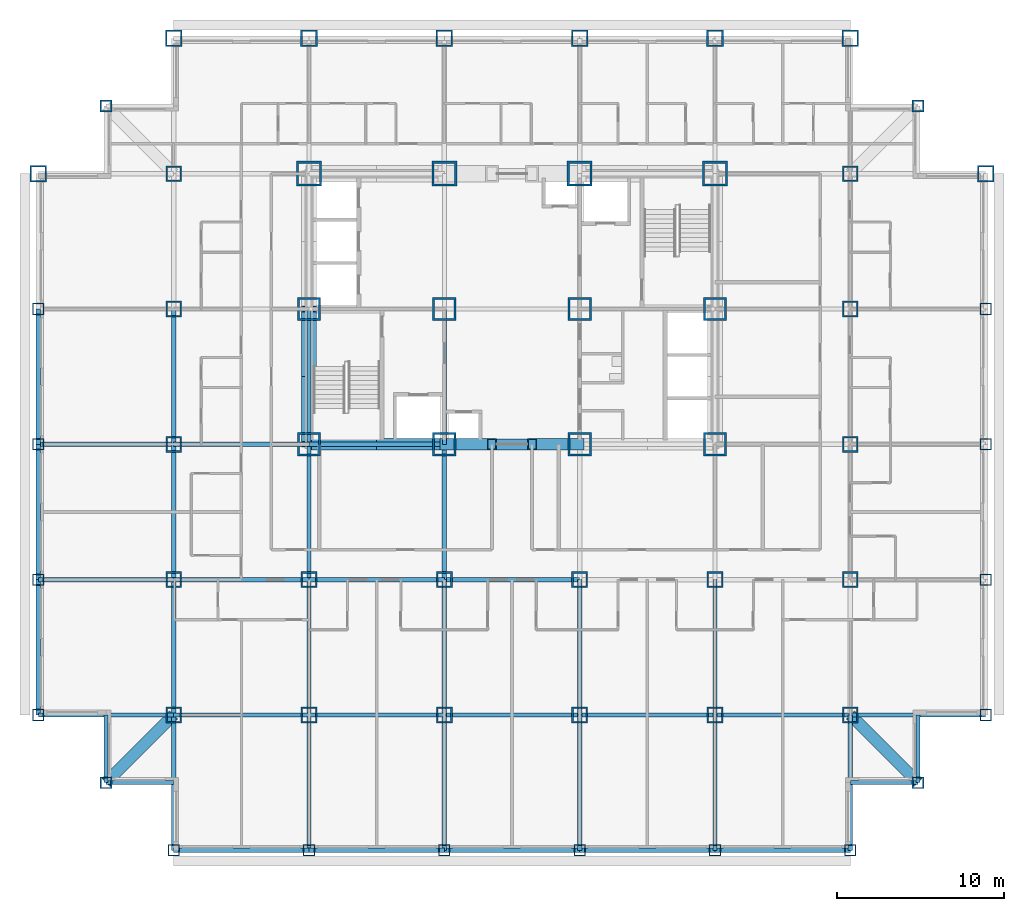
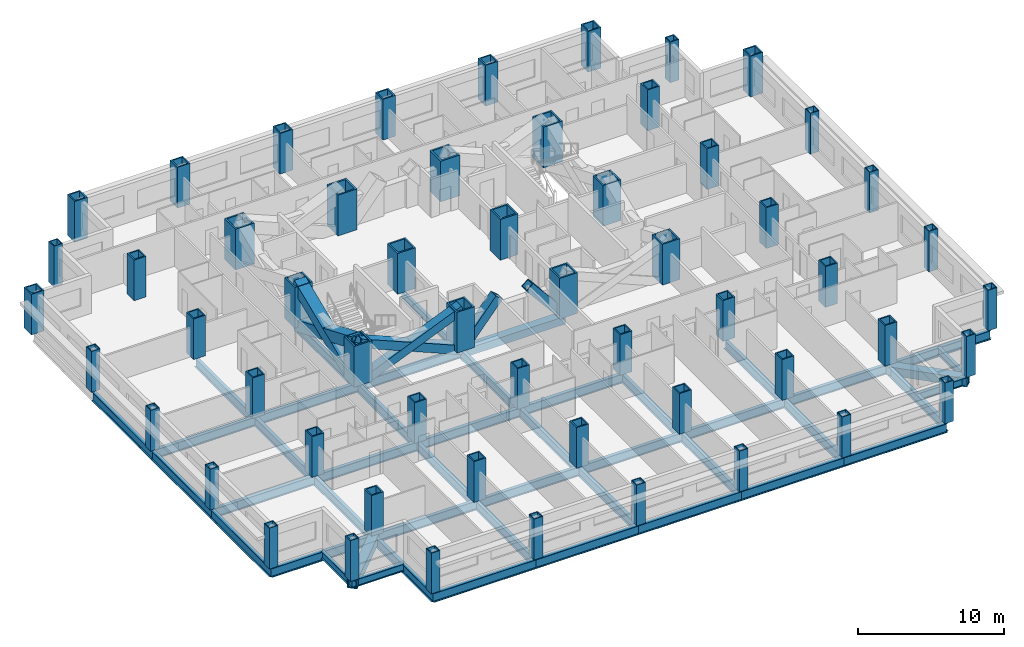
# One storey, part 1 of 12: 56 columns, 46 beams, 6 members.
"""IFC4 building model written with IfcOpenShell, lengths in metres."""

import ifcopenshell
import ifcopenshell.guid

model = None  # the IFC model being written
_history = None  # IfcOwnerHistory: only IFC2X3 demands one
_inside = {}  # id of a spatial element -> (the spatial element, [elements in it])
_under = {}  # id of a project, library or spatial element -> (it, [spatial elements below it])
_declared = {}  # id of a project -> (the project, [libraries it declares])
_typed = {}  # id of a type object -> (the type object, [elements of that type])
_made_of = {}  # id of a material, layer set ... -> (it, [elements and type objects made of it])


def new_model(schema):
    """Start an empty IFC model of exactly this schema.

    Asked for "IFC4X3", IfcOpenShell would pick the latest addendum, in which some entities
    have other attributes; the version numbers below select the first issue.
    IFC2X3 requires an IfcOwnerHistory on every rooted entity: one is made here for all.
    """
    global model, _history
    if schema == "IFC4X3":
        model = ifcopenshell.file(schema_version=(4, 3, 0, 0))
    else:
        model = ifcopenshell.file(schema=schema)
    _inside.clear()
    _under.clear()
    _declared.clear()
    _typed.clear()
    _made_of.clear()
    _history = None
    if model.schema == "IFC2X3":
        org = make("IfcOrganization", Name="unknown")
        user = make(
            "IfcPersonAndOrganization",
            ThePerson=make("IfcPerson", FamilyName="unknown"),
            TheOrganization=org,
        )
        app = make(
            "IfcApplication",
            ApplicationDeveloper=org,
            Version="unknown",
            ApplicationFullName="unknown",
            ApplicationIdentifier="unknown",
        )
        _history = make(
            "IfcOwnerHistory",
            OwningUser=user,
            OwningApplication=app,
            ChangeAction="ADDED",
            CreationDate=0,
        )
    return model


def make(cls, **values):
    """One entity of the class cls with the attributes given. An attribute that is None is left unset."""
    return model.create_entity(
        cls, **{name: value for name, value in values.items() if value is not None}
    )


def rooted(cls, **values):
    """An entity with a GlobalId (a new one), such as an element, a storey or a relation."""
    return make(cls, GlobalId=ifcopenshell.guid.new(), OwnerHistory=_history, **values)


def si_unit(unit_type, name, prefix=None):
    """IfcSIUnit, for example si_unit("LENGTHUNIT", "METRE", prefix="MILLI")."""
    return make("IfcSIUnit", UnitType=unit_type, Prefix=prefix, Name=name)


def assignment(units):
    """IfcUnitAssignment: the units of a project."""
    return None if units is None else make("IfcUnitAssignment", Units=units)


def point(xyz):
    """IfcCartesianPoint."""
    return None if xyz is None else make("IfcCartesianPoint", Coordinates=xyz)


def direction(xyz):
    """IfcDirection."""
    return None if xyz is None else make("IfcDirection", DirectionRatios=xyz)


def frame(location, z_axis=None, x_axis=None):
    """IfcAxis2Placement3D, a coordinate frame: its origin and axes. An axis left out is left unset."""
    return make(
        "IfcAxis2Placement3D",
        Location=point(location),
        Axis=direction(z_axis),
        RefDirection=direction(x_axis),
    )


def frame_2d(location, x_axis=None):
    """IfcAxis2Placement2D, a coordinate frame in the plane: its origin and x axis."""
    return make(
        "IfcAxis2Placement2D", Location=point(location), RefDirection=direction(x_axis)
    )


def origin():
    """The frame at (0, 0, 0) with its axes left unset."""
    return frame((0.0, 0.0, 0.0))


def origin_2d():
    """The frame at (0, 0) in the plane with its x axis left unset."""
    return frame_2d((0.0, 0.0))


def place(relative_to, where):
    """IfcLocalPlacement: puts the frame where relative to a parent placement (None: the world)."""
    return make(
        "IfcLocalPlacement", PlacementRelTo=relative_to, RelativePlacement=where
    )


def context(
    kind, dimensions, precision=None, world=None, true_north=None, identifier=None
):
    """IfcGeometricRepresentationContext, for example the 3D "Model" context."""
    return make(
        "IfcGeometricRepresentationContext",
        ContextIdentifier=identifier,
        ContextType=kind,
        CoordinateSpaceDimension=dimensions,
        Precision=precision,
        WorldCoordinateSystem=world,
        TrueNorth=true_north,
    )


def subcontext(parent, identifier, kind, view, scale=None):
    """IfcGeometricRepresentationSubContext, for example "Body" below "Model"."""
    return make(
        "IfcGeometricRepresentationSubContext",
        ContextIdentifier=identifier,
        ContextType=kind,
        ParentContext=parent,
        TargetScale=scale,
        TargetView=view,
    )


def project(units=None, contexts=None):
    """IfcProject with its units and contexts."""
    return rooted(
        "IfcProject",
        Name="project",
        RepresentationContexts=contexts,
        UnitsInContext=assignment(units),
    )


def spatial(cls, under=None, at=None, **own):
    """A site, building, storey or space (cls), placed at a placement, below another one or the project."""
    s = rooted(cls, ObjectPlacement=at, **own)
    if under is not None:
        _under.setdefault(under.id(), (under, []))[1].append(s)
    return s


def profile(cls, at=None, kind="AREA", **sizes):
    """A parametric profile (cls). Its sizes go by their IFC names, for example OverallWidth=200.0."""
    return make(cls, ProfileType=kind, Position=at, **sizes)


def hollow_rectangle(**sizes):
    """IfcRectangleHollowProfileDef."""
    return profile("IfcRectangleHollowProfileDef", **sizes)


def i_section(**sizes):
    """IfcIShapeProfileDef."""
    return profile("IfcIShapeProfileDef", **sizes)


def extrude(swept, where, along, depth):
    """IfcExtrudedAreaSolid: the profile swept, set in the frame where, extruded along a direction by depth."""
    return make(
        "IfcExtrudedAreaSolid",
        SweptArea=swept,
        Position=where,
        ExtrudedDirection=direction(along),
        Depth=depth,
    )


def shape(context_of_items, identifier, shape_type, items):
    """IfcShapeRepresentation: the items that make up one representation, for example the "Body"."""
    return make(
        "IfcShapeRepresentation",
        ContextOfItems=context_of_items,
        RepresentationIdentifier=identifier,
        RepresentationType=shape_type,
        Items=items,
    )


def material(Name=None, Category=None):
    """IfcMaterial."""
    return make("IfcMaterial", Name=Name, Category=Category)


def material_profile(
    of_material, cross_section, Name=None, Category=None, Priority=None
):
    """IfcMaterialProfile: a cross section and its material."""
    return make(
        "IfcMaterialProfile",
        Name=Name,
        Material=of_material,
        Profile=cross_section,
        Priority=Priority,
        Category=Category,
    )


def profile_set(profiles, Name=None, composite=None):
    """IfcMaterialProfileSet."""
    return make(
        "IfcMaterialProfileSet",
        Name=Name,
        MaterialProfiles=profiles,
        CompositeProfile=composite,
    )


def made_of(thing, what):
    """Note that an element or type object is made of a material, layer set ...; save() writes the relation."""
    if what is not None:
        _made_of.setdefault(what.id(), (what, []))[1].append(thing)
    return thing


def type_object(cls, material=None, **own):
    """A type object (cls), such as IfcWallType, which elements share."""
    return made_of(rooted(cls, **own), material)


def element(
    cls,
    number,
    at=None,
    inside=None,
    cuts=None,
    type_object=None,
    material=None,
    context=None,
    identifier="Body",
    shape_type=None,
    held_by="IfcProductDefinitionShape",
    body=None,
    shapes=None,
    **own,
):
    """One element of the class cls, such as IfcWall. Its Tag is "e" and its number.

    at: its placement. inside: the storey or other place that contains it. cuts: it is an
    opening in that element (IfcRelVoidsElement). A single representation is given by context,
    identifier, shape_type and body (its items); several are given by shapes. held_by: the class
    of the entity that holds the representations. save() writes the other relations.
    """
    e = rooted(cls, Tag="e%d" % number, ObjectPlacement=at, **own)
    if body is not None:
        shapes = [shape(context, identifier, shape_type, body)]
    if shapes is not None:
        e.Representation = make(held_by, Representations=shapes)
    if inside is not None:
        _inside.setdefault(inside.id(), (inside, []))[1].append(e)
    if cuts is not None:
        rooted(
            "IfcRelVoidsElement", RelatingBuildingElement=cuts, RelatedOpeningElement=e
        )
    if type_object is not None:
        _typed.setdefault(type_object.id(), (type_object, []))[1].append(e)
    return made_of(e, material)


def aggregate(whole, parts):
    """IfcRelAggregates: a whole, such as a stair, and the parts it consists of."""
    return rooted("IfcRelAggregates", RelatingObject=whole, RelatedObjects=parts)


def save(model, path):
    """Write the relations noted so far, then the file.

    IfcRelAggregates (storeys below a building ...), IfcRelContainedInSpatialStructure (elements
    in a storey), IfcRelDefinesByType, IfcRelAssociatesMaterial and IfcRelDeclares: one each for
    every whole, place, type object, material and project.
    """
    for whole, parts in _under.values():
        aggregate(whole, parts)
    for where, things in _inside.values():
        rooted(
            "IfcRelContainedInSpatialStructure",
            RelatedElements=things,
            RelatingStructure=where,
        )
    for kind, things in _typed.values():
        rooted("IfcRelDefinesByType", RelatedObjects=things, RelatingType=kind)
    for what, things in _made_of.values():
        rooted("IfcRelAssociatesMaterial", RelatedObjects=things, RelatingMaterial=what)
    for by, libraries in _declared.values():
        rooted("IfcRelDeclares", RelatingContext=by, RelatedDefinitions=libraries)
    model.write(path)


model = new_model("IFC4")

# Units and contexts
model_context = context("Model", 3, precision=1e-05, world=origin(), true_north=direction((0.0, 1.0)))
body_context = subcontext(model_context, "Body", "Model", "MODEL_VIEW")
ifc_project = project(units=[si_unit("LENGTHUNIT", "METRE"), si_unit("AREAUNIT", "SQUARE_METRE"), si_unit("VOLUMEUNIT", "CUBIC_METRE"), si_unit("PLANEANGLEUNIT", "RADIAN"), si_unit("MASSUNIT", "GRAM", prefix="KILO")], contexts=[model_context])

# Site, building, storey
site_placement = place(None, origin())
site = spatial("IfcSite", under=ifc_project, at=site_placement, CompositionType="ELEMENT")
building_placement = place(site_placement, origin())
building = spatial("IfcBuilding", under=site, at=building_placement, Name="Kopane Lantern Tower", CompositionType="ELEMENT")
storey_placement = place(building_placement, frame((0.0, 0.0, 80.60009765625)))
storey = spatial("IfcBuildingStorey", under=building, at=storey_placement, Name="L20", CompositionType="ELEMENT", Elevation=80.60009765625)

# Columns
ifc_material_1 = material(Name="Steel S355JR", Category="steel")
ifc_material_profile_1 = material_profile(ifc_material_1, hollow_rectangle(XDim=1.0, YDim=1.0, WallThickness=0.10009765625, at=origin_2d()), Name="BOX 1000x1000x100")
ifc_profile_set_1 = profile_set([ifc_material_profile_1], Name="Steel S355JR")
column_type_1 = type_object("IfcColumnType", Name="COLUMN BOX 1000x1000x100", PredefinedType="COLUMN", material=ifc_profile_set_1)
for number, where, z_axis, x_axis, name in (
    (1, (0.0, 40.5, 0.0), (0.0, 0.0, 1.0), (1.0, 0.0, 0.0), "Column 2/G L20"),
    (2, (8.10009765625, 48.60009765625, 0.0), (0.0, 0.0, 1.0), (1.0, 0.0, 0.0), "Column 3/H L20"),
    (3, (16.199951171875, 48.60009765625, 0.0), (0.0, 0.0, 1.0), (1.0, 0.0, 0.0), "Column 4/H L20"),
    (4, (24.300048828125, 48.60009765625, 0.0), (0.0, 0.0, 1.0), (1.0, 0.0, 0.0), "Column 5/H L20"),
    (5, (32.39990234375, 48.60009765625, 0.0), (0.0, 0.0, 1.0), (1.0, 0.0, 0.0), "Column 6/H L20"),
    (6, (40.5, 48.60009765625, 0.0), (0.0, 0.0, 1.0), (1.0, 0.0, 0.0), "Column 7/H L20"),
    (7, (48.60009765625, 48.60009765625, 0.0), (0.0, 0.0, 1.0), (1.0, 0.0, 0.0), "Column 8/H L20"),
    (8, (56.699951171875, 40.5, 0.0), (0.0, 0.0, 1.0), (1.0, 0.0, 0.0), "Column 9/G L20"),
):
    element("IfcColumn", number, at=place(storey_placement, frame(where, z_axis=z_axis, x_axis=x_axis)), inside=storey, type_object=column_type_1, Name=name, PredefinedType="COLUMN", context=body_context, shape_type="SweptSolid", body=[
        extrude(hollow_rectangle(XDim=1.0, YDim=1.0, WallThickness=0.10009765625, at=origin_2d()), origin(), (0.0, 0.0, 1.0), 3.39990234375),
    ])
ifc_material_2 = material(Name="Steel S355JR", Category="steel")
ifc_material_profile_2 = material_profile(ifc_material_2, hollow_rectangle(XDim=1.39990234375, YDim=1.39990234375, WallThickness=0.1201171875, at=origin_2d()), Name="BOX 1400x1400x120")
ifc_profile_set_2 = profile_set([ifc_material_profile_2], Name="Steel S355JR")
column_type_2 = type_object("IfcColumnType", Name="COLUMN BOX 1400x1400x120", PredefinedType="COLUMN", material=ifc_profile_set_2)
for number, where, z_axis, x_axis, name in (
    (9, (16.199951171875, 24.300048828125, 0.0), (0.0, 0.0, 1.0), (1.0, 0.0, 0.0), "Column 4/E L20"),
    (10, (16.199951171875, 32.39990234375, 0.0), (0.0, 0.0, 1.0), (1.0, 0.0, 0.0), "Column 4/F L20"),
    (11, (24.300048828125, 24.300048828125, 0.0), (0.0, 0.0, 1.0), (1.0, 0.0, 0.0), "Column 5/E L20"),
    (12, (24.300048828125, 32.39990234375, 0.0), (0.0, 0.0, 1.0), (1.0, 0.0, 0.0), "Column 5/F L20"),
    (13, (32.39990234375, 24.300048828125, 0.0), (0.0, 0.0, 1.0), (1.0, 0.0, 0.0), "Column 6/E L20"),
    (14, (32.39990234375, 32.39990234375, 0.0), (0.0, 0.0, 1.0), (1.0, 0.0, 0.0), "Column 6/F L20"),
    (15, (40.5, 24.300048828125, 0.0), (0.0, 0.0, 1.0), (1.0, 0.0, 0.0), "Column 7/E L20"),
    (16, (40.5, 32.39990234375, 0.0), (0.0, 0.0, 1.0), (1.0, 0.0, 0.0), "Column 7/F L20"),
):
    element("IfcColumn", number, at=place(storey_placement, frame(where, z_axis=z_axis, x_axis=x_axis)), inside=storey, type_object=column_type_2, Name=name, PredefinedType="COLUMN", context=body_context, shape_type="SweptSolid", body=[
        extrude(hollow_rectangle(XDim=1.39990234375, YDim=1.39990234375, WallThickness=0.1201171875, at=origin_2d()), origin(), (0.0, 0.0, 1.0), 3.39990234375),
    ])
ifc_material_3 = material(Name="Steel S355JR", Category="steel")
ifc_material_profile_3 = material_profile(ifc_material_3, hollow_rectangle(XDim=1.5, YDim=1.5, WallThickness=0.1298828125, at=origin_2d()), Name="BOX 1500x1500x130")
ifc_profile_set_3 = profile_set([ifc_material_profile_3], Name="Steel S355JR")
column_type_3 = type_object("IfcColumnType", Name="COLUMN BOX 1500x1500x130", PredefinedType="COLUMN", material=ifc_profile_set_3)
for number, where, z_axis, x_axis, name in (
    (17, (16.199951171875, 40.5, 0.0), (0.0, 0.0, 1.0), (1.0, 0.0, 0.0), "Column 4/G L20"),
    (18, (24.300048828125, 40.5, 0.0), (0.0, 0.0, 1.0), (1.0, 0.0, 0.0), "Column 5/G L20"),
    (19, (32.39990234375, 40.5, 0.0), (0.0, 0.0, 1.0), (1.0, 0.0, 0.0), "Column 6/G L20"),
    (20, (40.5, 40.5, 0.0), (0.0, 0.0, 1.0), (1.0, 0.0, 0.0), "Column 7/G L20"),
):
    element("IfcColumn", number, at=place(storey_placement, frame(where, z_axis=z_axis, x_axis=x_axis)), inside=storey, type_object=column_type_3, Name=name, PredefinedType="COLUMN", context=body_context, shape_type="SweptSolid", body=[
        extrude(hollow_rectangle(XDim=1.5, YDim=1.5, WallThickness=0.1298828125, at=origin_2d()), origin(), (0.0, 0.0, 1.0), 3.39990234375),
    ])
ifc_material_4 = material(Name="Steel S355JR", Category="steel")
ifc_material_profile_4 = material_profile(ifc_material_4, hollow_rectangle(XDim=0.699951171875, YDim=0.699951171875, WallThickness=0.06005859375, at=origin_2d()), Name="BOX 700x700x60")
ifc_profile_set_4 = profile_set([ifc_material_profile_4], Name="Steel S355JR")
column_type_4 = type_object("IfcColumnType", Name="COLUMN BOX 700x700x60", PredefinedType="COLUMN", material=ifc_profile_set_4)
for number, where, z_axis, x_axis, name in (
    (21, (0.0, 8.10009765625, 0.0), (0.0, 0.0, 1.0), (1.0, 0.0, 0.0), "Column 2/C L20"),
    (22, (0.0, 16.199951171875, 0.0), (0.0, 0.0, 1.0), (1.0, 0.0, 0.0), "Column 2/D L20"),
    (23, (0.0, 24.300048828125, 0.0), (0.0, 0.0, 1.0), (1.0, 0.0, 0.0), "Column 2/E L20"),
    (24, (0.0, 32.39990234375, 0.0), (0.0, 0.0, 1.0), (1.0, 0.0, 0.0), "Column 2/F L20"),
    (25, (8.10009765625, 0.0, 0.0), (0.0, 0.0, 1.0), (1.0, 0.0, 0.0), "Column 3/B L20"),
    (26, (16.199951171875, 0.0, 0.0), (0.0, 0.0, 1.0), (1.0, 0.0, 0.0), "Column 4/B L20"),
    (27, (24.300048828125, 0.0, 0.0), (0.0, 0.0, 1.0), (1.0, 0.0, 0.0), "Column 5/B L20"),
    (28, (32.39990234375, 0.0, 0.0), (0.0, 0.0, 1.0), (1.0, 0.0, 0.0), "Column 6/B L20"),
    (29, (40.5, 0.0, 0.0), (0.0, 0.0, 1.0), (1.0, 0.0, 0.0), "Column 7/B L20"),
    (30, (48.60009765625, 0.0, 0.0), (0.0, 0.0, 1.0), (1.0, 0.0, 0.0), "Column 8/B L20"),
    (31, (56.699951171875, 8.10009765625, 0.0), (0.0, 0.0, 1.0), (1.0, 0.0, 0.0), "Column 9/C L20"),
    (32, (56.699951171875, 16.199951171875, 0.0), (0.0, 0.0, 1.0), (1.0, 0.0, 0.0), "Column 9/D L20"),
    (33, (56.699951171875, 24.300048828125, 0.0), (0.0, 0.0, 1.0), (1.0, 0.0, 0.0), "Column 9/E L20"),
    (34, (56.699951171875, 32.39990234375, 0.0), (0.0, 0.0, 1.0), (1.0, 0.0, 0.0), "Column 9/F L20"),
):
    element("IfcColumn", number, at=place(storey_placement, frame(where, z_axis=z_axis, x_axis=x_axis)), inside=storey, type_object=column_type_4, Name=name, PredefinedType="COLUMN", context=body_context, shape_type="SweptSolid", body=[
        extrude(hollow_rectangle(XDim=0.699951171875, YDim=0.699951171875, WallThickness=0.06005859375, at=origin_2d()), origin(), (0.0, 0.0, 1.0), 3.39990234375),
    ])
ifc_material_5 = material(Name="Steel S355JR", Category="steel")
ifc_material_profile_5 = material_profile(ifc_material_5, hollow_rectangle(XDim=0.699951171875, YDim=0.699951171875, WallThickness=0.070068359375, at=origin_2d()), Name="BOX 700x700x70")
ifc_profile_set_5 = profile_set([ifc_material_profile_5], Name="Steel S355JR")
column_type_5 = type_object("IfcColumnType", Name="COLUMN BOX 700x700x70", PredefinedType="COLUMN", material=ifc_profile_set_5)
for number, where, z_axis, x_axis, name in (
    (35, (4.050048828125, 4.050048828125, 0.0), (0.0, 0.0, 1.0), (1.0, 0.0, 0.0), "Column 4.05/4.05 L20"),
    (36, (4.050048828125, 44.550048828125, 0.0), (0.0, 0.0, 1.0), (1.0, 0.0, 0.0), "Column 4.05/44.55 L20"),
    (37, (52.64990234375, 4.050048828125, 0.0), (0.0, 0.0, 1.0), (1.0, 0.0, 0.0), "Column 52.65/4.05 L20"),
    (38, (52.64990234375, 44.550048828125, 0.0), (0.0, 0.0, 1.0), (1.0, 0.0, 0.0), "Column 52.65/44.55 L20"),
):
    element("IfcColumn", number, at=place(storey_placement, frame(where, z_axis=z_axis, x_axis=x_axis)), inside=storey, type_object=column_type_5, Name=name, PredefinedType="COLUMN", context=body_context, shape_type="SweptSolid", body=[
        extrude(hollow_rectangle(XDim=0.699951171875, YDim=0.699951171875, WallThickness=0.070068359375, at=origin_2d()), origin(), (0.0, 0.0, 1.0), 3.39990234375),
    ])
ifc_material_6 = material(Name="Steel S355JR", Category="steel")
ifc_material_profile_6 = material_profile(ifc_material_6, hollow_rectangle(XDim=0.949951171875, YDim=0.949951171875, WallThickness=0.094970703125, at=origin_2d()), Name="BOX 950x950x95")
ifc_profile_set_6 = profile_set([ifc_material_profile_6], Name="Steel S355JR")
column_type_6 = type_object("IfcColumnType", Name="COLUMN BOX 950x950x95", PredefinedType="COLUMN", material=ifc_profile_set_6)
for number, where, z_axis, x_axis, name in (
    (39, (8.10009765625, 8.10009765625, 0.0), (0.0, 0.0, 1.0), (1.0, 0.0, 0.0), "Column 3/C L20"),
    (40, (8.10009765625, 16.199951171875, 0.0), (0.0, 0.0, 1.0), (1.0, 0.0, 0.0), "Column 3/D L20"),
    (41, (8.10009765625, 24.300048828125, 0.0), (0.0, 0.0, 1.0), (1.0, 0.0, 0.0), "Column 3/E L20"),
    (42, (8.10009765625, 32.39990234375, 0.0), (0.0, 0.0, 1.0), (1.0, 0.0, 0.0), "Column 3/F L20"),
    (43, (8.10009765625, 40.5, 0.0), (0.0, 0.0, 1.0), (1.0, 0.0, 0.0), "Column 3/G L20"),
    (44, (16.199951171875, 8.10009765625, 0.0), (0.0, 0.0, 1.0), (1.0, 0.0, 0.0), "Column 4/C L20"),
    (45, (16.199951171875, 16.199951171875, 0.0), (0.0, 0.0, 1.0), (1.0, 0.0, 0.0), "Column 4/D L20"),
    (46, (24.300048828125, 8.10009765625, 0.0), (0.0, 0.0, 1.0), (1.0, 0.0, 0.0), "Column 5/C L20"),
    (47, (24.300048828125, 16.199951171875, 0.0), (0.0, 0.0, 1.0), (1.0, 0.0, 0.0), "Column 5/D L20"),
    (48, (32.39990234375, 8.10009765625, 0.0), (0.0, 0.0, 1.0), (1.0, 0.0, 0.0), "Column 6/C L20"),
    (49, (32.39990234375, 16.199951171875, 0.0), (0.0, 0.0, 1.0), (1.0, 0.0, 0.0), "Column 6/D L20"),
    (50, (40.5, 8.10009765625, 0.0), (0.0, 0.0, 1.0), (1.0, 0.0, 0.0), "Column 7/C L20"),
    (51, (40.5, 16.199951171875, 0.0), (0.0, 0.0, 1.0), (1.0, 0.0, 0.0), "Column 7/D L20"),
    (52, (48.60009765625, 8.10009765625, 0.0), (0.0, 0.0, 1.0), (1.0, 0.0, 0.0), "Column 8/C L20"),
    (53, (48.60009765625, 16.199951171875, 0.0), (0.0, 0.0, 1.0), (1.0, 0.0, 0.0), "Column 8/D L20"),
    (54, (48.60009765625, 24.300048828125, 0.0), (0.0, 0.0, 1.0), (1.0, 0.0, 0.0), "Column 8/E L20"),
    (55, (48.60009765625, 32.39990234375, 0.0), (0.0, 0.0, 1.0), (1.0, 0.0, 0.0), "Column 8/F L20"),
    (56, (48.60009765625, 40.5, 0.0), (0.0, 0.0, 1.0), (1.0, 0.0, 0.0), "Column 8/G L20"),
):
    element("IfcColumn", number, at=place(storey_placement, frame(where, z_axis=z_axis, x_axis=x_axis)), inside=storey, type_object=column_type_6, Name=name, PredefinedType="COLUMN", context=body_context, shape_type="SweptSolid", body=[
        extrude(hollow_rectangle(XDim=0.949951171875, YDim=0.949951171875, WallThickness=0.094970703125, at=origin_2d()), origin(), (0.0, 0.0, 1.0), 3.39990234375),
    ])

# Members
ifc_material_7 = material(Name="Steel S355JR", Category="steel")
ifc_material_profile_7 = material_profile(ifc_material_7, hollow_rectangle(XDim=0.699951171875, YDim=0.699951171875, WallThickness=0.06005859375, at=origin_2d()), Name="BOX 700x700x60")
ifc_profile_set_7 = profile_set([ifc_material_profile_7], Name="Steel S355JR")
member_type_1 = type_object("IfcMemberType", Name="BRACE BOX 700x700x60", PredefinedType="BRACE", material=ifc_profile_set_7)
for number, where, z_axis, x_axis, name in (
    (57, (16.199951171875, 24.300048828125, -0.210205078125), (0.92205908274, 0.0, 0.387049154419), (0.0, 1.0, 0.0), "Core brace L20"),
    (58, (24.300048828125, 24.300048828125, -0.210205078125), (-0.92205908274, 0.0, 0.387049154419), (0.0, -1.0, 0.0), "Core brace L20"),
):
    element("IfcMember", number, at=place(storey_placement, frame(where, z_axis=z_axis, x_axis=x_axis)), inside=storey, type_object=member_type_1, Name=name, PredefinedType="BRACE", context=body_context, shape_type="SweptSolid", body=[
        extrude(hollow_rectangle(XDim=0.699951171875, YDim=0.699951171875, WallThickness=0.06005859375, at=origin_2d()), origin(), (0.0, 0.0, 1.0), 8.784912109375),
    ])
for number, where, z_axis, x_axis, name in (
    (59, (24.300048828125, 24.300048828125, -0.210205078125), (0.642363165114, 0.0, 0.766400394118), (0.0, 1.0, 0.0), "Core brace L20"),
    (60, (32.39990234375, 24.300048828125, -0.210205078125), (-0.642363165114, 0.0, 0.766400394118), (0.0, -1.0, 0.0), "Core brace L20"),
):
    element("IfcMember", number, at=place(storey_placement, frame(where, z_axis=z_axis, x_axis=x_axis)), inside=storey, type_object=member_type_1, Name=name, PredefinedType="BRACE", context=body_context, shape_type="SweptSolid", body=[
        extrude(hollow_rectangle(XDim=0.699951171875, YDim=0.699951171875, WallThickness=0.06005859375, at=origin_2d()), origin(), (0.0, 0.0, 1.0), 4.4365234375),
    ])
ifc_material_8 = material(Name="Steel S355JR", Category="steel")
ifc_material_profile_8 = material_profile(ifc_material_8, hollow_rectangle(XDim=0.89990234375, YDim=0.89990234375, WallThickness=0.090087890625, at=origin_2d()), Name="BOX 900x900x90")
ifc_profile_set_8 = profile_set([ifc_material_profile_8], Name="Steel S355JR")
member_type_2 = type_object("IfcMemberType", Name="BRACE BOX 900x900x90", PredefinedType="BRACE", material=ifc_profile_set_8)
for number, where, z_axis, x_axis, name in (
    (61, (16.199951171875, 24.300048828125, -0.210205078125), (0.0, 0.92205491925, 0.387059072864), (-1.0, 0.0, 0.0), "Core brace L20"),
    (62, (16.199951171875, 32.39990234375, -0.210205078125), (0.0, -0.92205491925, 0.387059072864), (1.0, 0.0, 0.0), "Core brace L20"),
):
    element("IfcMember", number, at=place(storey_placement, frame(where, z_axis=z_axis, x_axis=x_axis)), inside=storey, type_object=member_type_2, Name=name, PredefinedType="BRACE", context=body_context, shape_type="SweptSolid", body=[
        extrude(hollow_rectangle(XDim=0.89990234375, YDim=0.89990234375, WallThickness=0.090087890625, at=origin_2d()), origin(), (0.0, 0.0, 1.0), 8.78466796875),
    ])

# Beams
ifc_material_9 = material(Name="Steel S355JR", Category="steel")
ifc_material_profile_9 = material_profile(ifc_material_9, i_section(OverallWidth=0.22900390625, OverallDepth=0.6123046875, WebThickness=0.011962890625, FlangeThickness=0.01953125, FilletRadius=0.0126953125, at=origin_2d()), Name="UB 610x229x125")
ifc_profile_set_9 = profile_set([ifc_material_profile_9], Name="Steel S355JR")
beam_type_1 = type_object("IfcBeamType", Name="CORE BEAM UB 610x229x125", PredefinedType="BEAM", material=ifc_profile_set_9)
beam_1_placement = place(storey_placement, frame((24.300048828125, 24.300048828125, -0.51611328125), z_axis=(0.0, 1.0, 0.0), x_axis=(-1.0, 0.0, 0.0)))
element("IfcBeam", 63, at=beam_1_placement, inside=storey, type_object=beam_type_1, Name="Core Beam L20", PredefinedType="BEAM", context=body_context, shape_type="SweptSolid", body=[
    extrude(i_section(OverallWidth=0.22900390625, OverallDepth=0.6123046875, WebThickness=0.011962890625, FlangeThickness=0.01953125, FilletRadius=0.0126953125, at=origin_2d()), origin(), (0.0, 0.0, 1.0), 8.099853515625),
])
ifc_material_10 = material(Name="Steel S355JR", Category="steel")
ifc_material_profile_10 = material_profile(ifc_material_10, hollow_rectangle(XDim=0.699951171875, YDim=0.699951171875, WallThickness=0.06005859375, at=origin_2d()), Name="BOX 700x700x60")
ifc_profile_set_10 = profile_set([ifc_material_profile_10], Name="Steel S355JR")
beam_type_2 = type_object("IfcBeamType", Name="CORNER TIE BEAM BOX 700x700x60", PredefinedType="BEAM", material=ifc_profile_set_10)
for number, where, z_axis, x_axis, name in (
    (64, (4.050048828125, 4.050048828125, -0.56005859375), (0.707106781187, 0.707106781187, 0.0), (-0.707106781187, 0.707106781187, 0.0), "Corner Tie Beam L20"),
    (65, (52.64990234375, 4.050048828125, -0.56005859375), (-0.707085467703, 0.707128094028, 0.0), (-0.707128094028, -0.707085467703, 0.0), "Corner Tie Beam L20"),
):
    element("IfcBeam", number, at=place(storey_placement, frame(where, z_axis=z_axis, x_axis=x_axis)), inside=storey, type_object=beam_type_2, Name=name, PredefinedType="BEAM", context=body_context, shape_type="SweptSolid", body=[
        extrude(hollow_rectangle(XDim=0.699951171875, YDim=0.699951171875, WallThickness=0.06005859375, at=origin_2d()), origin(), (0.0, 0.0, 1.0), 5.7275390625),
    ])
ifc_material_11 = material(Name="Steel S355JR", Category="steel")
ifc_material_profile_11 = material_profile(ifc_material_11, i_section(OverallWidth=0.22900390625, OverallDepth=0.6123046875, WebThickness=0.011962890625, FlangeThickness=0.01953125, FilletRadius=0.0126953125, at=origin_2d()), Name="UB 610x229x125")
ifc_profile_set_11 = profile_set([ifc_material_profile_11], Name="Steel S355JR")
beam_type_3 = type_object("IfcBeamType", Name="EDGE BEAM UB 610x229x125", PredefinedType="BEAM", material=ifc_profile_set_11)
for number, where, z_axis, x_axis, name in (
    (66, (4.050048828125, 4.050048828125, -0.51611328125), (0.0, 1.0, 0.0), (-1.0, 0.0, 0.0), "Edge Beam L20"),
    (67, (4.050048828125, 4.050048828125, -0.51611328125), (1.0, 0.0, 0.0), (0.0, 1.0, 0.0), "Edge Beam L20"),
):
    element("IfcBeam", number, at=place(storey_placement, frame(where, z_axis=z_axis, x_axis=x_axis)), inside=storey, type_object=beam_type_3, Name=name, PredefinedType="BEAM", context=body_context, shape_type="SweptSolid", body=[
        extrude(i_section(OverallWidth=0.22900390625, OverallDepth=0.6123046875, WebThickness=0.011962890625, FlangeThickness=0.01953125, FilletRadius=0.0126953125, at=origin_2d()), origin(), (0.0, 0.0, 1.0), 4.050048828125),
    ])
beam_2_placement = place(storey_placement, frame((52.64990234375, 4.050048828125, -0.51611328125), z_axis=(-1.0, 0.0, 0.0), x_axis=(0.0, -1.0, 0.0)))
element("IfcBeam", 68, at=beam_2_placement, inside=storey, type_object=beam_type_3, Name="Edge Beam L20", PredefinedType="BEAM", context=body_context, shape_type="SweptSolid", body=[
    extrude(i_section(OverallWidth=0.22900390625, OverallDepth=0.6123046875, WebThickness=0.011962890625, FlangeThickness=0.01953125, FilletRadius=0.0126953125, at=origin_2d()), origin(), (0.0, 0.0, 1.0), 4.0498046875),
])
beam_3_placement = place(storey_placement, frame((52.64990234375, 4.050048828125, -0.51611328125), z_axis=(0.0, 1.0, 0.0), x_axis=(-1.0, 0.0, 0.0)))
element("IfcBeam", 69, at=beam_3_placement, inside=storey, type_object=beam_type_3, Name="Edge Beam L20", PredefinedType="BEAM", context=body_context, shape_type="SweptSolid", body=[
    extrude(i_section(OverallWidth=0.22900390625, OverallDepth=0.6123046875, WebThickness=0.011962890625, FlangeThickness=0.01953125, FilletRadius=0.0126953125, at=origin_2d()), origin(), (0.0, 0.0, 1.0), 4.050048828125),
])
ifc_material_12 = material(Name="Steel S355JR", Category="steel")
ifc_material_profile_12 = material_profile(ifc_material_12, i_section(OverallWidth=0.2666015625, OverallDepth=0.76220703125, WebThickness=0.014404296875, FlangeThickness=0.021484375, FilletRadius=0.0166015625, at=origin_2d()), Name="UB 762x267x173")
ifc_profile_set_12 = profile_set([ifc_material_profile_12], Name="Steel S355JR")
beam_type_4 = type_object("IfcBeamType", Name="GIRDER UB 762x267x173", PredefinedType="BEAM", material=ifc_profile_set_12)
beam_4_placement = place(storey_placement, frame((0.0, 8.10009765625, -0.59130859375), z_axis=(0.0, 1.0, 0.0), x_axis=(-1.0, 0.0, 0.0)))
element("IfcBeam", 70, at=beam_4_placement, inside=storey, type_object=beam_type_4, Name="Girder L20", PredefinedType="BEAM", context=body_context, shape_type="SweptSolid", body=[
    extrude(i_section(OverallWidth=0.2666015625, OverallDepth=0.76220703125, WebThickness=0.014404296875, FlangeThickness=0.021484375, FilletRadius=0.0166015625, at=origin_2d()), origin(), (0.0, 0.0, 1.0), 8.099853515625),
])
for number, where, z_axis, x_axis, name in (
    (71, (0.0, 8.10009765625, -0.59130859375), (1.0, 0.0, 0.0), (0.0, 1.0, 0.0), "Girder L20"),
    (72, (0.0, 16.199951171875, -0.59130859375), (0.0, 1.0, 0.0), (-1.0, 0.0, 0.0), "Girder L20"),
    (73, (0.0, 16.199951171875, -0.59130859375), (1.0, 0.0, 0.0), (0.0, 1.0, 0.0), "Girder L20"),
):
    element("IfcBeam", number, at=place(storey_placement, frame(where, z_axis=z_axis, x_axis=x_axis)), inside=storey, type_object=beam_type_4, Name=name, PredefinedType="BEAM", context=body_context, shape_type="SweptSolid", body=[
        extrude(i_section(OverallWidth=0.2666015625, OverallDepth=0.76220703125, WebThickness=0.014404296875, FlangeThickness=0.021484375, FilletRadius=0.0166015625, at=origin_2d()), origin(), (0.0, 0.0, 1.0), 8.10009765625),
    ])
beam_5_placement = place(storey_placement, frame((0.0, 24.300048828125, -0.59130859375), z_axis=(0.0, 1.0, 0.0), x_axis=(-1.0, 0.0, 0.0)))
element("IfcBeam", 74, at=beam_5_placement, inside=storey, type_object=beam_type_4, Name="Girder L20", PredefinedType="BEAM", context=body_context, shape_type="SweptSolid", body=[
    extrude(i_section(OverallWidth=0.2666015625, OverallDepth=0.76220703125, WebThickness=0.014404296875, FlangeThickness=0.021484375, FilletRadius=0.0166015625, at=origin_2d()), origin(), (0.0, 0.0, 1.0), 8.099853515625),
])
for number, where, z_axis, x_axis, name in (
    (75, (0.0, 24.300048828125, -0.59130859375), (1.0, 0.0, 0.0), (0.0, 1.0, 0.0), "Girder L20"),
    (76, (8.10009765625, 0.0, -0.59130859375), (0.0, 1.0, 0.0), (-1.0, 0.0, 0.0), "Girder L20"),
):
    element("IfcBeam", number, at=place(storey_placement, frame(where, z_axis=z_axis, x_axis=x_axis)), inside=storey, type_object=beam_type_4, Name=name, PredefinedType="BEAM", context=body_context, shape_type="SweptSolid", body=[
        extrude(i_section(OverallWidth=0.2666015625, OverallDepth=0.76220703125, WebThickness=0.014404296875, FlangeThickness=0.021484375, FilletRadius=0.0166015625, at=origin_2d()), origin(), (0.0, 0.0, 1.0), 8.10009765625),
    ])
for number, where, z_axis, x_axis, name in (
    (77, (8.10009765625, 0.0, -0.59130859375), (1.0, 0.0, 0.0), (0.0, 1.0, 0.0), "Girder L20"),
    (78, (8.10009765625, 8.10009765625, -0.59130859375), (0.0, 1.0, 0.0), (-1.0, 0.0, 0.0), "Girder L20"),
    (79, (8.10009765625, 8.10009765625, -0.59130859375), (1.0, 0.0, 0.0), (0.0, 1.0, 0.0), "Girder L20"),
):
    element("IfcBeam", number, at=place(storey_placement, frame(where, z_axis=z_axis, x_axis=x_axis)), inside=storey, type_object=beam_type_4, Name=name, PredefinedType="BEAM", context=body_context, shape_type="SweptSolid", body=[
        extrude(i_section(OverallWidth=0.2666015625, OverallDepth=0.76220703125, WebThickness=0.014404296875, FlangeThickness=0.021484375, FilletRadius=0.0166015625, at=origin_2d()), origin(), (0.0, 0.0, 1.0), 8.099853515625),
    ])
beam_6_placement = place(storey_placement, frame((8.10009765625, 16.199951171875, -0.59130859375), z_axis=(0.0, 1.0, 0.0), x_axis=(-1.0, 0.0, 0.0)))
element("IfcBeam", 80, at=beam_6_placement, inside=storey, type_object=beam_type_4, Name="Girder L20", PredefinedType="BEAM", context=body_context, shape_type="SweptSolid", body=[
    extrude(i_section(OverallWidth=0.2666015625, OverallDepth=0.76220703125, WebThickness=0.014404296875, FlangeThickness=0.021484375, FilletRadius=0.0166015625, at=origin_2d()), origin(), (0.0, 0.0, 1.0), 8.10009765625),
])
for number, where, z_axis, x_axis, name in (
    (81, (8.10009765625, 16.199951171875, -0.59130859375), (1.0, 0.0, 0.0), (0.0, 1.0, 0.0), "Girder L20"),
    (82, (8.10009765625, 24.300048828125, -0.59130859375), (0.0, 1.0, 0.0), (-1.0, 0.0, 0.0), "Girder L20"),
    (83, (8.10009765625, 24.300048828125, -0.59130859375), (1.0, 0.0, 0.0), (0.0, 1.0, 0.0), "Girder L20"),
):
    element("IfcBeam", number, at=place(storey_placement, frame(where, z_axis=z_axis, x_axis=x_axis)), inside=storey, type_object=beam_type_4, Name=name, PredefinedType="BEAM", context=body_context, shape_type="SweptSolid", body=[
        extrude(i_section(OverallWidth=0.2666015625, OverallDepth=0.76220703125, WebThickness=0.014404296875, FlangeThickness=0.021484375, FilletRadius=0.0166015625, at=origin_2d()), origin(), (0.0, 0.0, 1.0), 8.099853515625),
    ])
for number, where, z_axis, x_axis, name in (
    (84, (16.199951171875, 0.0, -0.59130859375), (0.0, 1.0, 0.0), (-1.0, 0.0, 0.0), "Girder L20"),
    (85, (16.199951171875, 0.0, -0.59130859375), (1.0, 0.0, 0.0), (0.0, 1.0, 0.0), "Girder L20"),
):
    element("IfcBeam", number, at=place(storey_placement, frame(where, z_axis=z_axis, x_axis=x_axis)), inside=storey, type_object=beam_type_4, Name=name, PredefinedType="BEAM", context=body_context, shape_type="SweptSolid", body=[
        extrude(i_section(OverallWidth=0.2666015625, OverallDepth=0.76220703125, WebThickness=0.014404296875, FlangeThickness=0.021484375, FilletRadius=0.0166015625, at=origin_2d()), origin(), (0.0, 0.0, 1.0), 8.10009765625),
    ])
beam_7_placement = place(storey_placement, frame((16.199951171875, 8.10009765625, -0.59130859375), z_axis=(0.0, 1.0, 0.0), x_axis=(-1.0, 0.0, 0.0)))
element("IfcBeam", 86, at=beam_7_placement, inside=storey, type_object=beam_type_4, Name="Girder L20", PredefinedType="BEAM", context=body_context, shape_type="SweptSolid", body=[
    extrude(i_section(OverallWidth=0.2666015625, OverallDepth=0.76220703125, WebThickness=0.014404296875, FlangeThickness=0.021484375, FilletRadius=0.0166015625, at=origin_2d()), origin(), (0.0, 0.0, 1.0), 8.099853515625),
])
for number, where, z_axis, x_axis, name in (
    (87, (16.199951171875, 8.10009765625, -0.59130859375), (1.0, 0.0, 0.0), (0.0, 1.0, 0.0), "Girder L20"),
    (88, (16.199951171875, 16.199951171875, -0.59130859375), (0.0, 1.0, 0.0), (-1.0, 0.0, 0.0), "Girder L20"),
    (89, (16.199951171875, 16.199951171875, -0.59130859375), (1.0, 0.0, 0.0), (0.0, 1.0, 0.0), "Girder L20"),
):
    element("IfcBeam", number, at=place(storey_placement, frame(where, z_axis=z_axis, x_axis=x_axis)), inside=storey, type_object=beam_type_4, Name=name, PredefinedType="BEAM", context=body_context, shape_type="SweptSolid", body=[
        extrude(i_section(OverallWidth=0.2666015625, OverallDepth=0.76220703125, WebThickness=0.014404296875, FlangeThickness=0.021484375, FilletRadius=0.0166015625, at=origin_2d()), origin(), (0.0, 0.0, 1.0), 8.10009765625),
    ])
beam_8_placement = place(storey_placement, frame((16.199951171875, 24.300048828125, -0.59130859375), z_axis=(0.0, 1.0, 0.0), x_axis=(-1.0, 0.0, 0.0)))
element("IfcBeam", 90, at=beam_8_placement, inside=storey, type_object=beam_type_4, Name="Girder L20", PredefinedType="BEAM", context=body_context, shape_type="SweptSolid", body=[
    extrude(i_section(OverallWidth=0.2666015625, OverallDepth=0.76220703125, WebThickness=0.014404296875, FlangeThickness=0.021484375, FilletRadius=0.0166015625, at=origin_2d()), origin(), (0.0, 0.0, 1.0), 8.099853515625),
])
for number, where, z_axis, x_axis, name in (
    (91, (16.199951171875, 24.300048828125, -0.59130859375), (1.0, 0.0, 0.0), (0.0, 1.0, 0.0), "Girder L20"),
    (92, (24.300048828125, 0.0, -0.59130859375), (0.0, 1.0, 0.0), (-1.0, 0.0, 0.0), "Girder L20"),
):
    element("IfcBeam", number, at=place(storey_placement, frame(where, z_axis=z_axis, x_axis=x_axis)), inside=storey, type_object=beam_type_4, Name=name, PredefinedType="BEAM", context=body_context, shape_type="SweptSolid", body=[
        extrude(i_section(OverallWidth=0.2666015625, OverallDepth=0.76220703125, WebThickness=0.014404296875, FlangeThickness=0.021484375, FilletRadius=0.0166015625, at=origin_2d()), origin(), (0.0, 0.0, 1.0), 8.10009765625),
    ])
for number, where, z_axis, x_axis, name in (
    (93, (24.300048828125, 0.0, -0.59130859375), (1.0, 0.0, 0.0), (0.0, 1.0, 0.0), "Girder L20"),
    (94, (24.300048828125, 8.10009765625, -0.59130859375), (0.0, 1.0, 0.0), (-1.0, 0.0, 0.0), "Girder L20"),
    (95, (24.300048828125, 8.10009765625, -0.59130859375), (1.0, 0.0, 0.0), (0.0, 1.0, 0.0), "Girder L20"),
):
    element("IfcBeam", number, at=place(storey_placement, frame(where, z_axis=z_axis, x_axis=x_axis)), inside=storey, type_object=beam_type_4, Name=name, PredefinedType="BEAM", context=body_context, shape_type="SweptSolid", body=[
        extrude(i_section(OverallWidth=0.2666015625, OverallDepth=0.76220703125, WebThickness=0.014404296875, FlangeThickness=0.021484375, FilletRadius=0.0166015625, at=origin_2d()), origin(), (0.0, 0.0, 1.0), 8.099853515625),
    ])
beam_9_placement = place(storey_placement, frame((24.300048828125, 16.199951171875, -0.59130859375), z_axis=(0.0, 1.0, 0.0), x_axis=(-1.0, 0.0, 0.0)))
element("IfcBeam", 96, at=beam_9_placement, inside=storey, type_object=beam_type_4, Name="Girder L20", PredefinedType="BEAM", context=body_context, shape_type="SweptSolid", body=[
    extrude(i_section(OverallWidth=0.2666015625, OverallDepth=0.76220703125, WebThickness=0.014404296875, FlangeThickness=0.021484375, FilletRadius=0.0166015625, at=origin_2d()), origin(), (0.0, 0.0, 1.0), 8.10009765625),
])
beam_10_placement = place(storey_placement, frame((24.300048828125, 16.199951171875, -0.59130859375), z_axis=(1.0, 0.0, 0.0), x_axis=(0.0, 1.0, 0.0)))
element("IfcBeam", 97, at=beam_10_placement, inside=storey, type_object=beam_type_4, Name="Girder L20", PredefinedType="BEAM", context=body_context, shape_type="SweptSolid", body=[
    extrude(i_section(OverallWidth=0.2666015625, OverallDepth=0.76220703125, WebThickness=0.014404296875, FlangeThickness=0.021484375, FilletRadius=0.0166015625, at=origin_2d()), origin(), (0.0, 0.0, 1.0), 8.099853515625),
])
for number, where, z_axis, x_axis, name in (
    (98, (32.39990234375, 0.0, -0.59130859375), (0.0, 1.0, 0.0), (-1.0, 0.0, 0.0), "Girder L20"),
    (99, (32.39990234375, 0.0, -0.59130859375), (1.0, 0.0, 0.0), (0.0, 1.0, 0.0), "Girder L20"),
):
    element("IfcBeam", number, at=place(storey_placement, frame(where, z_axis=z_axis, x_axis=x_axis)), inside=storey, type_object=beam_type_4, Name=name, PredefinedType="BEAM", context=body_context, shape_type="SweptSolid", body=[
        extrude(i_section(OverallWidth=0.2666015625, OverallDepth=0.76220703125, WebThickness=0.014404296875, FlangeThickness=0.021484375, FilletRadius=0.0166015625, at=origin_2d()), origin(), (0.0, 0.0, 1.0), 8.10009765625),
    ])
beam_11_placement = place(storey_placement, frame((32.39990234375, 8.10009765625, -0.59130859375), z_axis=(0.0, 1.0, 0.0), x_axis=(-1.0, 0.0, 0.0)))
element("IfcBeam", 100, at=beam_11_placement, inside=storey, type_object=beam_type_4, Name="Girder L20", PredefinedType="BEAM", context=body_context, shape_type="SweptSolid", body=[
    extrude(i_section(OverallWidth=0.2666015625, OverallDepth=0.76220703125, WebThickness=0.014404296875, FlangeThickness=0.021484375, FilletRadius=0.0166015625, at=origin_2d()), origin(), (0.0, 0.0, 1.0), 8.099853515625),
])
for number, where, z_axis, x_axis, name in (
    (101, (32.39990234375, 8.10009765625, -0.59130859375), (1.0, 0.0, 0.0), (0.0, 1.0, 0.0), "Girder L20"),
    (102, (40.5, 0.0, -0.59130859375), (0.0, 1.0, 0.0), (-1.0, 0.0, 0.0), "Girder L20"),
    (103, (40.5, 0.0, -0.59130859375), (1.0, 0.0, 0.0), (0.0, 1.0, 0.0), "Girder L20"),
):
    element("IfcBeam", number, at=place(storey_placement, frame(where, z_axis=z_axis, x_axis=x_axis)), inside=storey, type_object=beam_type_4, Name=name, PredefinedType="BEAM", context=body_context, shape_type="SweptSolid", body=[
        extrude(i_section(OverallWidth=0.2666015625, OverallDepth=0.76220703125, WebThickness=0.014404296875, FlangeThickness=0.021484375, FilletRadius=0.0166015625, at=origin_2d()), origin(), (0.0, 0.0, 1.0), 8.10009765625),
    ])
beam_12_placement = place(storey_placement, frame((40.5, 8.10009765625, -0.59130859375), z_axis=(0.0, 1.0, 0.0), x_axis=(-1.0, 0.0, 0.0)))
element("IfcBeam", 104, at=beam_12_placement, inside=storey, type_object=beam_type_4, Name="Girder L20", PredefinedType="BEAM", context=body_context, shape_type="SweptSolid", body=[
    extrude(i_section(OverallWidth=0.2666015625, OverallDepth=0.76220703125, WebThickness=0.014404296875, FlangeThickness=0.021484375, FilletRadius=0.0166015625, at=origin_2d()), origin(), (0.0, 0.0, 1.0), 8.099853515625),
])
for number, where, z_axis, x_axis, name in (
    (105, (40.5, 8.10009765625, -0.59130859375), (1.0, 0.0, 0.0), (0.0, 1.0, 0.0), "Girder L20"),
    (106, (48.60009765625, 0.0, -0.59130859375), (0.0, 1.0, 0.0), (-1.0, 0.0, 0.0), "Girder L20"),
):
    element("IfcBeam", number, at=place(storey_placement, frame(where, z_axis=z_axis, x_axis=x_axis)), inside=storey, type_object=beam_type_4, Name=name, PredefinedType="BEAM", context=body_context, shape_type="SweptSolid", body=[
        extrude(i_section(OverallWidth=0.2666015625, OverallDepth=0.76220703125, WebThickness=0.014404296875, FlangeThickness=0.021484375, FilletRadius=0.0166015625, at=origin_2d()), origin(), (0.0, 0.0, 1.0), 8.10009765625),
    ])
beam_13_placement = place(storey_placement, frame((48.60009765625, 8.10009765625, -0.59130859375), z_axis=(1.0, 0.0, 0.0), x_axis=(0.0, 1.0, 0.0)))
element("IfcBeam", 107, at=beam_13_placement, inside=storey, type_object=beam_type_4, Name="Girder L20", PredefinedType="BEAM", context=body_context, shape_type="SweptSolid", body=[
    extrude(i_section(OverallWidth=0.2666015625, OverallDepth=0.76220703125, WebThickness=0.014404296875, FlangeThickness=0.021484375, FilletRadius=0.0166015625, at=origin_2d()), origin(), (0.0, 0.0, 1.0), 8.099853515625),
])
ifc_material_13 = material(Name="Steel S355JR", Category="steel")
ifc_material_profile_13 = material_profile(ifc_material_13, hollow_rectangle(XDim=0.64990234375, YDim=0.64990234375, WallThickness=0.070068359375, at=origin_2d()), Name="BOX 650x650x70")
ifc_profile_set_13 = profile_set([ifc_material_profile_13], Name="Steel S355JR")
beam_type_5 = type_object("IfcBeamType", Name="LINK BEAM BOX 650x650x70", PredefinedType="BEAM", material=ifc_profile_set_13)
beam_14_placement = place(storey_placement, frame((24.300048828125, 24.300048828125, -0.53515625), z_axis=(1.0, 0.0, 0.0), x_axis=(0.0, 1.0, 0.0)))
element("IfcBeam", 108, at=beam_14_placement, inside=storey, type_object=beam_type_5, Name="Link Beam L20", PredefinedType="BEAM", context=body_context, shape_type="SweptSolid", body=[
    extrude(hollow_rectangle(XDim=0.64990234375, YDim=0.64990234375, WallThickness=0.070068359375, at=origin_2d()), origin(), (0.0, 0.0, 1.0), 8.099853515625),
])

save(model, "model.ifc")
